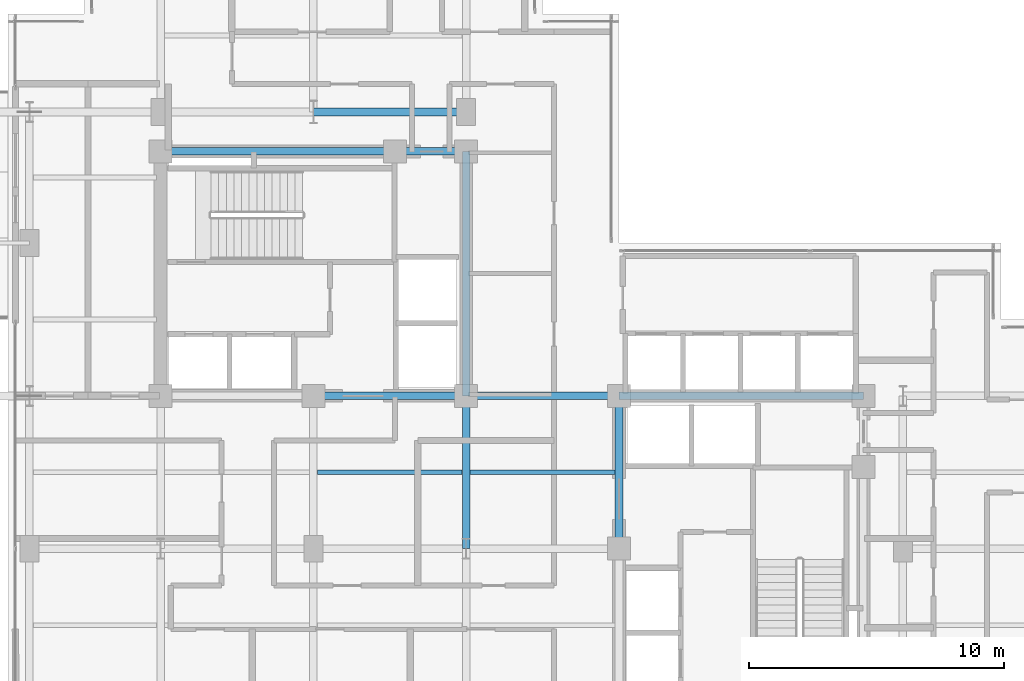
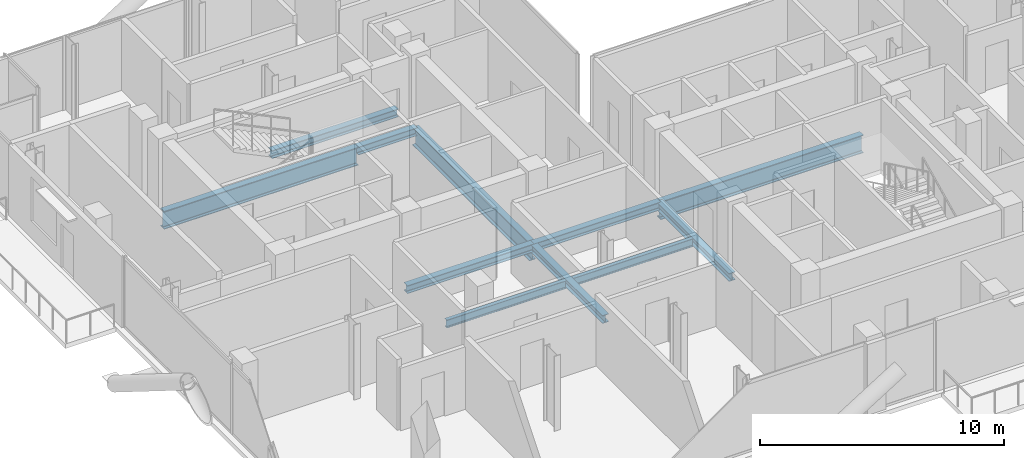
# One storey, part 9 of 26: 11 beams.
"""IFC4 building model written with IfcOpenShell, lengths in metres."""

from ifc_helpers import new_model, si_unit, direction, frame, origin, origin_2d, place, context, subcontext, project, spatial, i_section, extrude, material, material_profile, profile_set, type_object, element, save


model = new_model("IFC4")

# Units and contexts
model_context = context("Model", 3, precision=1e-05, world=origin(), true_north=direction((0.0, 1.0)))
body_context = subcontext(model_context, "Body", "Model", "MODEL_VIEW")
ifc_project = project(units=[si_unit("LENGTHUNIT", "METRE"), si_unit("AREAUNIT", "SQUARE_METRE"), si_unit("VOLUMEUNIT", "CUBIC_METRE"), si_unit("PLANEANGLEUNIT", "RADIAN"), si_unit("MASSUNIT", "GRAM", prefix="KILO"), si_unit("THERMODYNAMICTEMPERATUREUNIT", "KELVIN"), si_unit("POWERUNIT", "WATT")], contexts=[model_context])

# Site, building, storey
site_placement = place(None, origin())
site = spatial("IfcSite", under=ifc_project, at=site_placement, CompositionType="ELEMENT")
building_placement = place(site_placement, origin())
building = spatial("IfcBuilding", under=site, at=building_placement, Name="Svarakhadi Broadcast Tower", CompositionType="ELEMENT")
storey_placement = place(building_placement, frame((0.0, 0.0, 180.449951171875)))
storey = spatial("IfcBuildingStorey", under=building, at=storey_placement, Name="L44", CompositionType="ELEMENT", Elevation=180.449951171875)

# Beams
ifc_material_1 = material(Name="Steel S355J2 (IS 2062 E350C)", Category="steel")
ifc_material_profile_1 = material_profile(ifc_material_1, i_section(OverallWidth=0.179931640625, OverallDepth=0.39990234375, WebThickness=0.008544921875, FlangeThickness=0.013427734375, FilletRadius=0.02099609375, at=origin_2d()), Name="NPB 400x180x66")
ifc_profile_set_1 = profile_set([ifc_material_profile_1], Name="Steel S355J2 (IS 2062 E350C)")
beam_type_1 = type_object("IfcBeamType", Name="Beam_NPB400", PredefinedType="BEAM", material=ifc_profile_set_1)
for number, where, z_axis, x_axis, name in (
    (1, (12.159912109375, 15.0, -0.409912109375), (1.0, 0.0, 0.0), (0.0, 1.0, 0.0), "L44 Secondary Composite Beam SB011"),
    (2, (18.159912109375, 15.0, -0.409912109375), (1.0, 0.0, 0.0), (0.0, 1.0, 0.0), "L44 Secondary Composite Beam SB015"),
):
    element("IfcBeam", number, at=place(storey_placement, frame(where, z_axis=z_axis, x_axis=x_axis)), inside=storey, type_object=beam_type_1, Name=name, PredefinedType="BEAM", context=body_context, shape_type="SweptSolid", body=[
        extrude(i_section(OverallWidth=0.179931640625, OverallDepth=0.39990234375, WebThickness=0.008544921875, FlangeThickness=0.013427734375, FilletRadius=0.02099609375, at=origin_2d()), origin(), (0.0, 0.0, 1.0), 5.68017578125),
    ])
ifc_material_profile_2 = material_profile(ifc_material_1, i_section(OverallWidth=0.300048828125, OverallDepth=0.39990234375, WebThickness=0.013427734375, FlangeThickness=0.02392578125, FilletRadius=0.027099609375, at=origin_2d()), Name="WPB 400x300x155")
ifc_profile_set_2 = profile_set([ifc_material_profile_2], Name="Steel S355J2 (IS 2062 E350C)")
beam_type_2 = type_object("IfcBeamType", Name="Girder_WPB400", PredefinedType="USERDEFINED", material=ifc_profile_set_2)
for number, where, z_axis, x_axis, name in (
    (3, (12.0, 18.0, -0.409912109375), (1.0, 0.0, 0.0), (0.0, 1.0, 0.0), "L44 Primary E-W Girder G022"),
    (4, (18.0, 18.0, -0.409912109375), (1.0, 0.0, 0.0), (0.0, 1.0, 0.0), "L44 Primary E-W Girder G023"),
):
    element("IfcBeam", number, at=place(storey_placement, frame(where, z_axis=z_axis, x_axis=x_axis)), inside=storey, type_object=beam_type_2, Name=name, ObjectType="GIRDER", PredefinedType="USERDEFINED", context=body_context, shape_type="SweptSolid", body=[
        extrude(i_section(OverallWidth=0.300048828125, OverallDepth=0.39990234375, WebThickness=0.013427734375, FlangeThickness=0.02392578125, FilletRadius=0.027099609375, at=origin_2d()), origin(), (0.0, 0.0, 1.0), 6.0),
    ])
beam_1_placement = place(storey_placement, frame((15.199951171875, 27.60009765625, -0.409912109375), z_axis=(1.0, 0.0, 0.0), x_axis=(0.0, 1.0, 0.0)))
element("IfcBeam", 5, at=beam_1_placement, inside=storey, type_object=beam_type_2, Name="L44 Primary E-W Girder G027", ObjectType="GIRDER", PredefinedType="USERDEFINED", context=body_context, shape_type="SweptSolid", body=[
    extrude(i_section(OverallWidth=0.300048828125, OverallDepth=0.39990234375, WebThickness=0.013427734375, FlangeThickness=0.02392578125, FilletRadius=0.027099609375, at=origin_2d()), origin(), (0.0, 0.0, 1.0), 2.800048828125),
])
for number, where, z_axis, x_axis, name in (
    (6, (12.0, 29.14990234375, -0.409912109375), (1.0, 0.0, 0.0), (0.0, 1.0, 0.0), "L44 Primary E-W Girder G030"),
    (7, (18.0, 12.0, -0.409912109375), (0.0, 1.0, 0.0), (-1.0, 0.0, 0.0), "L44 Primary N-S Girder G048"),
    (8, (24.0, 12.0, -0.409912109375), (0.0, 1.0, 0.0), (-1.0, 0.0, 0.0), "L44 Primary N-S Girder G053"),
):
    element("IfcBeam", number, at=place(storey_placement, frame(where, z_axis=z_axis, x_axis=x_axis)), inside=storey, type_object=beam_type_2, Name=name, ObjectType="GIRDER", PredefinedType="USERDEFINED", context=body_context, shape_type="SweptSolid", body=[
        extrude(i_section(OverallWidth=0.300048828125, OverallDepth=0.39990234375, WebThickness=0.013427734375, FlangeThickness=0.02392578125, FilletRadius=0.027099609375, at=origin_2d()), origin(), (0.0, 0.0, 1.0), 6.0),
    ])
ifc_material_2 = material(Name="Steel S460ML (IS 2062 E450BR)", Category="steel")
ifc_material_profile_3 = material_profile(ifc_material_2, i_section(OverallWidth=0.300048828125, OverallDepth=0.89990234375, WebThickness=0.0185546875, FlangeThickness=0.034912109375, FilletRadius=0.030029296875, at=origin_2d()), Name="WPB 900x300x291")
ifc_profile_set_3 = profile_set([ifc_material_profile_3], Name="Steel S460ML (IS 2062 E450BR)")
beam_type_3 = type_object("IfcBeamType", Name="Girder_WPB900", PredefinedType="USERDEFINED", material=ifc_profile_set_3)
beam_2_placement = place(storey_placement, frame((24.0, 18.0, -0.659912109375), z_axis=(1.0, 0.0, 0.0), x_axis=(0.0, 1.0, 0.0)))
element("IfcBeam", 9, at=beam_2_placement, inside=storey, type_object=beam_type_3, Name="L44 Primary E-W Girder G024", ObjectType="GIRDER", PredefinedType="USERDEFINED", context=body_context, shape_type="SweptSolid", body=[
    extrude(i_section(OverallWidth=0.300048828125, OverallDepth=0.89990234375, WebThickness=0.0185546875, FlangeThickness=0.034912109375, FilletRadius=0.030029296875, at=origin_2d()), origin(), (0.0, 0.0, 1.0), 9.60009765625),
])
beam_3_placement = place(storey_placement, frame((6.0, 27.60009765625, -0.659912109375), z_axis=(1.0, 0.0, 0.0), x_axis=(0.0, 1.0, 0.0)))
element("IfcBeam", 10, at=beam_3_placement, inside=storey, type_object=beam_type_3, Name="L44 Primary E-W Girder G026", ObjectType="GIRDER", PredefinedType="USERDEFINED", context=body_context, shape_type="SweptSolid", body=[
    extrude(i_section(OverallWidth=0.300048828125, OverallDepth=0.89990234375, WebThickness=0.0185546875, FlangeThickness=0.034912109375, FilletRadius=0.030029296875, at=origin_2d()), origin(), (0.0, 0.0, 1.0), 9.199951171875),
])
beam_4_placement = place(storey_placement, frame((18.0, 18.0, -0.659912109375), z_axis=(0.0, 1.0, 0.0), x_axis=(-1.0, 0.0, 0.0)))
element("IfcBeam", 11, at=beam_4_placement, inside=storey, type_object=beam_type_3, Name="L44 Primary N-S Girder G049", ObjectType="GIRDER", PredefinedType="USERDEFINED", context=body_context, shape_type="SweptSolid", body=[
    extrude(i_section(OverallWidth=0.300048828125, OverallDepth=0.89990234375, WebThickness=0.0185546875, FlangeThickness=0.034912109375, FilletRadius=0.030029296875, at=origin_2d()), origin(), (0.0, 0.0, 1.0), 9.60009765625),
])

save(model, "model.ifc")
